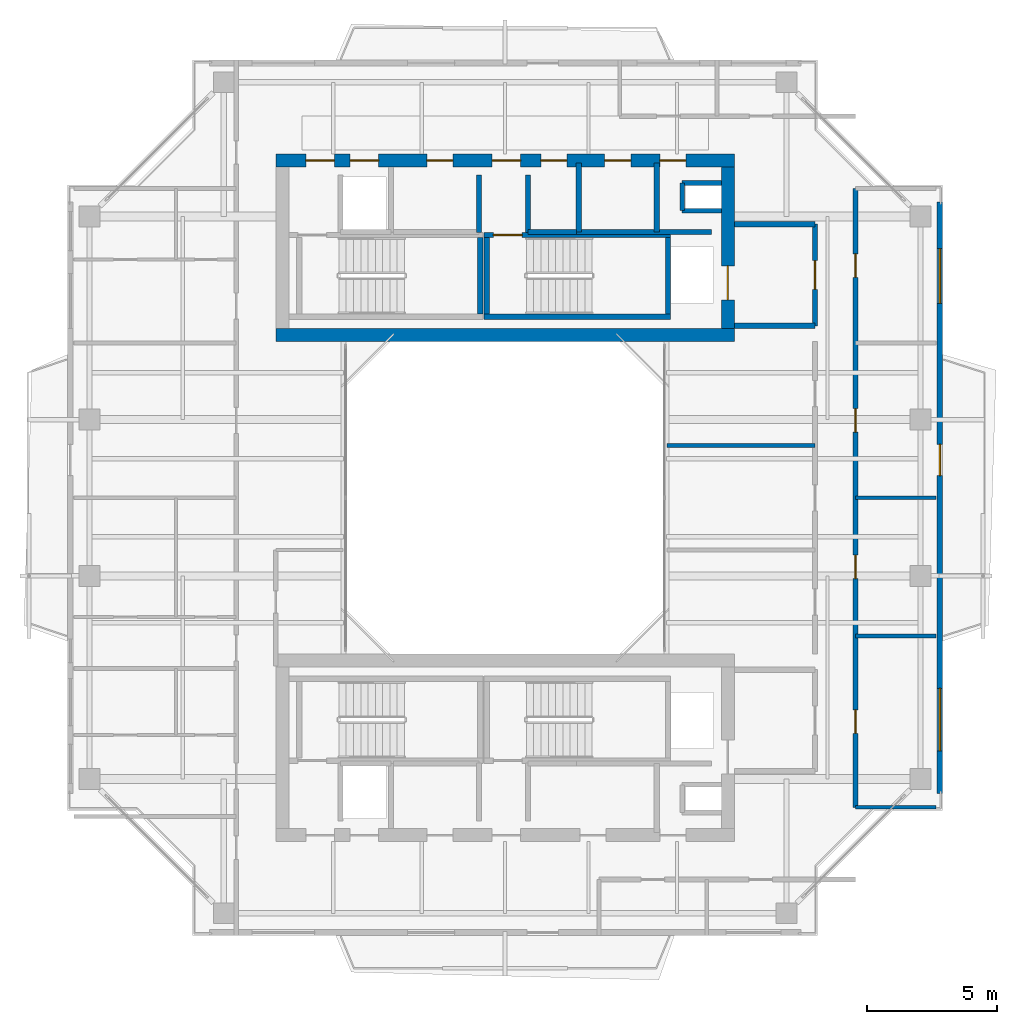
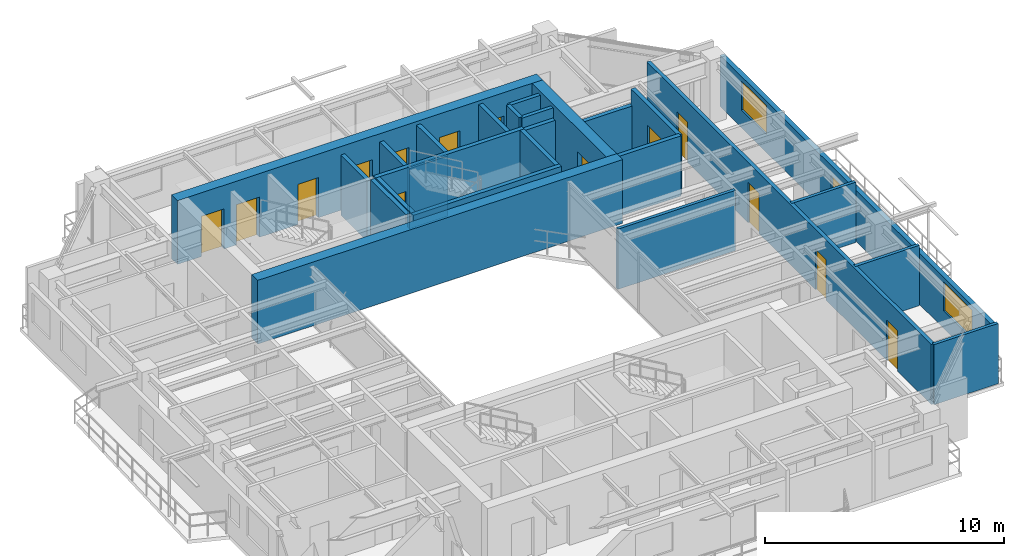
# One storey, part 12 of 16: 26 walls, 15 doors, 2 windows, 17 openings.
"""IFC4 building model written with IfcOpenShell, lengths in metres."""

from ifc_helpers import new_model, si_unit, direction, frame, frame_2d, origin, place, context, subcontext, project, spatial, rectangle, extrude, source, transform, mapped, material, layer, layer_set, type_object, element, fill, save


model = new_model("IFC4")

# Units and contexts
model_context = context("Model", 3, precision=1e-05, world=origin(), true_north=direction((0.0, 1.0)))
body_context = subcontext(model_context, "Body", "Model", "MODEL_VIEW")
ifc_project = project(units=[si_unit("LENGTHUNIT", "METRE"), si_unit("AREAUNIT", "SQUARE_METRE"), si_unit("VOLUMEUNIT", "CUBIC_METRE"), si_unit("PLANEANGLEUNIT", "RADIAN"), si_unit("MASSUNIT", "GRAM", prefix="KILO"), si_unit("THERMODYNAMICTEMPERATUREUNIT", "KELVIN"), si_unit("POWERUNIT", "WATT")], contexts=[model_context])

# Site, building, storey
site_placement = place(None, origin())
site = spatial("IfcSite", under=ifc_project, at=site_placement, CompositionType="ELEMENT")
building_placement = place(site_placement, origin())
building = spatial("IfcBuilding", under=site, at=building_placement, Name="Qiaomeng Ring Towers", CompositionType="ELEMENT")
storey_placement = place(building_placement, frame((0.0, 0.0, 216.5)))
storey = spatial("IfcBuildingStorey", under=building, at=storey_placement, Name="L63", CompositionType="ELEMENT", Elevation=216.5)

# Wall, openings, windows, door
ifc_material_1 = material(Name="Precast concrete C40", Category="concrete")
ifc_layer_1 = layer(ifc_material_1, 0.219970703125, Name="Precast concrete C40")
ifc_layer_set_1 = layer_set([ifc_layer_1], Name="Precast concrete C40")
wall_type_1 = type_object("IfcWallType", Name="ARC-WL-EW2", PredefinedType="STANDARD", material=ifc_layer_set_1)
wall_1_placement = place(storey_placement, frame((35.68994140625, 11.64990234375, 0.0), z_axis=(0.0, 0.0, 1.0), x_axis=(0.0, 1.0, 0.0)))
wall_1 = element("IfcWall", 1, at=wall_1_placement, inside=storey, type_object=wall_type_1, Name="L63 Tower 1 E Exterior Wall", PredefinedType="STANDARD", context=body_context, shape_type="SweptSolid", body=[
    extrude(rectangle(XDim=22.7001953125, YDim=0.219970703125, at=frame_2d((11.35009765625, 0.0))), origin(), (0.0, 0.0, 1.0), 2.610107421875),
])
opening_1_placement = place(wall_1_placement, frame((12.199951171875, 0.0, 0.0)))
opening_1 = element("IfcOpeningElement", 2, at=opening_1_placement, cuts=wall_1, Name="Opening BD1", PredefinedType="OPENING", context=body_context, shape_type="SweptSolid", body=[
    extrude(rectangle(XDim=1.199951171875, YDim=2.10009765625, at=frame_2d((0.60009765625, 1.050048828125))), frame((0.0, 0.119873046875, 0.0), z_axis=(0.0, -1.0, 0.0), x_axis=(1.0, 0.0, 0.0)), (0.0, 0.0, 1.0), 0.239990234375),
])
opening_2_placement = place(wall_1_placement, frame((1.637939453125, 0.0, 0.89990234375)))
opening_2 = element("IfcOpeningElement", 3, at=opening_2_placement, cuts=wall_1, Name="Opening WN6", PredefinedType="OPENING", context=body_context, shape_type="SweptSolid", body=[
    extrude(rectangle(XDim=2.39990234375, YDim=1.47998046875, at=frame_2d((1.199951171875, 0.739990234375))), frame((0.0, 0.119873046875, 0.0), z_axis=(0.0, -1.0, 0.0), x_axis=(1.0, 0.0, 0.0)), (0.0, 0.0, 1.0), 0.239990234375),
])
opening_3_placement = place(wall_1_placement, frame((18.81298828125, 0.0, 0.89990234375)))
opening_3 = element("IfcOpeningElement", 4, at=opening_3_placement, cuts=wall_1, Name="Opening WN4", PredefinedType="OPENING", context=body_context, shape_type="SweptSolid", body=[
    extrude(rectangle(XDim=2.10009765625, YDim=1.47998046875, at=frame_2d((1.050048828125, 0.739990234375))), frame((0.0, 0.119873046875, 0.0), z_axis=(0.0, -1.0, 0.0), x_axis=(1.0, 0.0, 0.0)), (0.0, 0.0, 1.0), 0.239990234375),
])
ifc_material_2 = material(Name="Low-E dark-grey laminated double glazing", Category="glass")
window_type_1 = type_object("IfcWindowType", Name="ARC-WN-4", PartitioningType="TRIPLE_PANEL_VERTICAL", PredefinedType="WINDOW", material=ifc_material_2)
shared_shape_1 = source(origin(), body_context, "Body", "SweptSolid", [
    extrude(rectangle(XDim=2.10009765625, YDim=1.47998046875, at=frame_2d((1.050048828125, 0.739990234375))), frame((0.0, 0.030029296875, 0.0), z_axis=(0.0, -1.0, 0.0), x_axis=(1.0, 0.0, 0.0)), (0.0, 0.0, 1.0), 0.06005859375),
])
window_1_placement = place(opening_3_placement, origin())
window_1 = element("IfcWindow", 5, at=window_1_placement, inside=storey, type_object=window_type_1, Name="L63 Exterior Window WN4", OverallHeight=1.47998046875, OverallWidth=2.10009765625, PartitioningType="TRIPLE_PANEL_VERTICAL", PredefinedType="WINDOW", context=body_context, shape_type="MappedRepresentation", body=[
    mapped(shared_shape_1, transform((0.0, 0.0, 0.0), x_axis=(1.0, 0.0, 0.0), y_axis=(0.0, 1.0, 0.0), z_axis=(0.0, 0.0, 1.0), scale=1.0)),
])
fill(opening_3, window_1)
window_type_2 = type_object("IfcWindowType", Name="ARC-WN-6", PartitioningType="TRIPLE_PANEL_VERTICAL", PredefinedType="WINDOW", material=ifc_material_2)
shared_shape_2 = source(origin(), body_context, "Body", "SweptSolid", [
    extrude(rectangle(XDim=2.39990234375, YDim=1.47998046875, at=frame_2d((1.199951171875, 0.739990234375))), frame((0.0, 0.030029296875, 0.0), z_axis=(0.0, -1.0, 0.0), x_axis=(1.0, 0.0, 0.0)), (0.0, 0.0, 1.0), 0.06005859375),
])
window_2_placement = place(opening_2_placement, origin())
window_2 = element("IfcWindow", 6, at=window_2_placement, inside=storey, type_object=window_type_2, Name="L63 Exterior Window WN6", OverallHeight=1.47998046875, OverallWidth=2.39990234375, PartitioningType="TRIPLE_PANEL_VERTICAL", PredefinedType="WINDOW", context=body_context, shape_type="MappedRepresentation", body=[
    mapped(shared_shape_2, transform((0.0, 0.0, 0.0), x_axis=(1.0, 0.0, 0.0), y_axis=(0.0, 1.0, 0.0), z_axis=(0.0, 0.0, 1.0), scale=1.0)),
])
fill(opening_2, window_2)
door_type_1 = type_object("IfcDoorType", Name="ARC-DR-BD1", OperationType="NOTDEFINED", PredefinedType="DOOR", material=ifc_material_2)
shared_shape_3 = source(origin(), body_context, "Body", "SweptSolid", [
    extrude(rectangle(XDim=1.199951171875, YDim=2.10009765625, at=frame_2d((0.60009765625, 1.050048828125))), frame((0.0, 0.02490234375, 0.0), z_axis=(0.0, -1.0, 0.0), x_axis=(1.0, 0.0, 0.0)), (0.0, 0.0, 1.0), 0.050048828125),
])
door_1_placement = place(opening_1_placement, origin())
door_1 = element("IfcDoor", 7, at=door_1_placement, inside=storey, type_object=door_type_1, Name="L63 E Balcony Glazed Door", OperationType="SINGLE_SWING_LEFT", OverallHeight=2.10009765625, OverallWidth=1.199951171875, PredefinedType="DOOR", context=body_context, shape_type="MappedRepresentation", body=[
    mapped(shared_shape_3, transform((0.0, 0.0, 0.0), x_axis=(1.0, 0.0, 0.0), y_axis=(0.0, 1.0, 0.0), z_axis=(0.0, 0.0, 1.0), scale=1.0)),
])
fill(opening_1, door_1)

# Walls
ifc_material_3 = material(Name="Autoclaved aerated concrete block", Category="concrete")
ifc_layer_2 = layer(ifc_material_3, 0.199951171875, Name="Autoclaved aerated concrete block")
ifc_layer_set_2 = layer_set([ifc_layer_2], Name="Autoclaved aerated concrete block")
wall_type_2 = type_object("IfcWallType", Name="ARC-WL-PW1", PredefinedType="PARTITIONING", material=ifc_layer_set_2)
wall_2_placement = place(storey_placement, frame((27.800048828125, 29.60009765625, 0.0), z_axis=(0.0, 0.0, 1.0), x_axis=(1.0, 0.0, 0.0)))
element("IfcWall", 8, at=wall_2_placement, inside=storey, type_object=wall_type_2, Name="L63 Interior Wall PW1", PredefinedType="PARTITIONING", context=body_context, shape_type="SweptSolid", body=[
    extrude(rectangle(XDim=3.099853515625, YDim=0.199951171875, at=frame_2d((1.5498046875, 0.0))), origin(), (0.0, 0.0, 1.0), 3.070068359375),
])
wall_3_placement = place(storey_placement, frame((27.800048828125, 33.5, 0.0), z_axis=(0.0, 0.0, 1.0), x_axis=(1.0, 0.0, 0.0)))
element("IfcWall", 9, at=wall_3_placement, inside=storey, type_object=wall_type_2, Name="L63 Interior Wall PW1", PredefinedType="PARTITIONING", context=body_context, shape_type="SweptSolid", body=[
    extrude(rectangle(XDim=3.099853515625, YDim=0.199951171875, at=frame_2d((1.5498046875, 0.0))), origin(), (0.0, 0.0, 1.0), 2.264892578125),
])

# Wall, opening, door
wall_4_placement = place(storey_placement, frame((30.89990234375, 29.60009765625, 0.0), z_axis=(0.0, 0.0, 1.0), x_axis=(0.0, 1.0, 0.0)))
wall_4 = element("IfcWall", 10, at=wall_4_placement, inside=storey, type_object=wall_type_2, Name="L63 Interior Wall PW1", PredefinedType="PARTITIONING", context=body_context, shape_type="SweptSolid", body=[
    extrude(rectangle(XDim=3.89990234375, YDim=0.199951171875, at=frame_2d((1.949951171875, 0.0))), origin(), (0.0, 0.0, 1.0), 3.070068359375),
])
opening_4_placement = place(wall_4_placement, frame((1.39990234375, 0.0, 0.0)))
opening_4 = element("IfcOpeningElement", 11, at=opening_4_placement, cuts=wall_4, Name="Opening FD3", PredefinedType="OPENING", context=body_context, shape_type="SweptSolid", body=[
    extrude(rectangle(XDim=1.10009765625, YDim=2.050048828125, at=frame_2d((0.550048828125, 1.02490234375))), frame((0.0, 0.10986328125, 0.0), z_axis=(0.0, -1.0, 0.0), x_axis=(1.0, 0.0, 0.0)), (0.0, 0.0, 1.0), 0.219970703125),
])
ifc_material_4 = material(Name="Galvanised steel", Category="steel")
door_type_2 = type_object("IfcDoorType", Name="ARC-DR-FD3", OperationType="NOTDEFINED", PredefinedType="DOOR", material=ifc_material_4)
shared_shape_4 = source(origin(), body_context, "Body", "SweptSolid", [
    extrude(rectangle(XDim=1.10009765625, YDim=2.050048828125, at=frame_2d((0.550048828125, 1.02490234375))), frame((0.0, 0.02490234375, 0.0), z_axis=(0.0, -1.0, 0.0), x_axis=(1.0, 0.0, 0.0)), (0.0, 0.0, 1.0), 0.050048828125),
])
door_2_placement = place(opening_4_placement, origin())
door_2 = element("IfcDoor", 12, at=door_2_placement, inside=storey, type_object=door_type_2, Name="L63 North FF Lobby Door", OperationType="SINGLE_SWING_LEFT", OverallHeight=2.050048828125, OverallWidth=1.10009765625, PredefinedType="DOOR", context=body_context, shape_type="MappedRepresentation", body=[
    mapped(shared_shape_4, transform((0.0, 0.0, 0.0), x_axis=(1.0, 0.0, 0.0), y_axis=(0.0, 1.0, 0.0), z_axis=(0.0, 0.0, 1.0), scale=1.0)),
])
fill(opening_4, door_2)

# Walls
for number, where, z_axis, x_axis, name in (
    (13, (18.0, 33.18994140625, 0.0), (0.0, 0.0, 1.0), (0.0, 1.0, 0.0), "L63 Interior Wall PW1"),
    (14, (19.8798828125, 33.18994140625, 0.0), (0.0, 0.0, 1.0), (0.0, 1.0, 0.0), "L63 Interior Wall PW1"),
):
    element("IfcWall", number, at=place(storey_placement, frame(where, z_axis=z_axis, x_axis=x_axis)), inside=storey, type_object=wall_type_2, Name=name, PredefinedType="PARTITIONING", context=body_context, shape_type="SweptSolid", body=[
        extrude(rectangle(XDim=2.2099609375, YDim=0.199951171875, at=frame_2d((1.10498046875, 0.0))), origin(), (0.0, 0.0, 1.0), 3.070068359375),
    ])
wall_5_placement = place(storey_placement, frame((24.820068359375, 33.199951171875, 0.0), z_axis=(0.0, 0.0, 1.0), x_axis=(0.0, 1.0, 0.0)))
element("IfcWall", 15, at=wall_5_placement, inside=storey, type_object=wall_type_2, Name="L63 Interior Wall PW1", PredefinedType="PARTITIONING", context=body_context, shape_type="SweptSolid", body=[
    extrude(rectangle(XDim=2.650146484375, YDim=0.199951171875, at=frame_2d((1.3251953125, 0.0))), origin(), (0.0, 0.0, 1.0), 3.070068359375),
])
wall_6_placement = place(storey_placement, frame((19.8798828125, 33.199951171875, 0.0), z_axis=(0.0, 0.0, 1.0), x_axis=(1.0, 0.0, 0.0)))
element("IfcWall", 16, at=wall_6_placement, inside=storey, type_object=wall_type_2, Name="L63 Interior Wall PW1", PredefinedType="PARTITIONING", context=body_context, shape_type="SweptSolid", body=[
    extrude(rectangle(XDim=1.8701171875, YDim=0.199951171875, at=frame_2d((0.93505859375, 0.0))), origin(), (0.0, 0.0, 1.0), 3.070068359375),
])
wall_7_placement = place(storey_placement, frame((21.830078125, 33.199951171875, 0.0), z_axis=(0.0, 0.0, 1.0), x_axis=(0.0, 1.0, 0.0)))
element("IfcWall", 17, at=wall_7_placement, inside=storey, type_object=wall_type_2, Name="L63 Interior Wall PW1", PredefinedType="PARTITIONING", context=body_context, shape_type="SweptSolid", body=[
    extrude(rectangle(XDim=2.650146484375, YDim=0.199951171875, at=frame_2d((1.3251953125, 0.0))), origin(), (0.0, 0.0, 1.0), 3.070068359375),
])
wall_8_placement = place(storey_placement, frame((21.75, 33.199951171875, 0.0), z_axis=(0.0, 0.0, 1.0), x_axis=(1.0, 0.0, 0.0)))
element("IfcWall", 18, at=wall_8_placement, inside=storey, type_object=wall_type_2, Name="L63 Interior Wall PW1", PredefinedType="PARTITIONING", context=body_context, shape_type="SweptSolid", body=[
    extrude(rectangle(XDim=5.169921875, YDim=0.199951171875, at=frame_2d((2.5849609375, 0.0))), origin(), (0.0, 0.0, 1.0), 3.070068359375),
])

# Wall, openings, doors
ifc_layer_3 = layer(ifc_material_3, 0.179931640625, Name="Autoclaved aerated concrete block")
ifc_layer_set_3 = layer_set([ifc_layer_3], Name="Autoclaved aerated concrete block")
wall_type_3 = type_object("IfcWallType", Name="ARC-WL-PW2", PredefinedType="PARTITIONING", material=ifc_layer_set_3)
wall_9_placement = place(storey_placement, frame((32.449951171875, 11.1201171875, 0.0), z_axis=(0.0, 0.0, 1.0), x_axis=(0.0, 1.0, 0.0)))
wall_9 = element("IfcWall", 19, at=wall_9_placement, inside=storey, type_object=wall_type_3, Name="L63 Interior Wall PW2", PredefinedType="PARTITIONING", context=body_context, shape_type="SweptSolid", body=[
    extrude(rectangle(XDim=23.759765625, YDim=0.179931640625, at=frame_2d((11.8798828125, 0.0))), origin(), (0.0, 0.0, 1.0), 3.070068359375),
])
opening_5_placement = place(wall_9_placement, frame((2.8349609375, 0.0, 0.0)))
opening_5 = element("IfcOpeningElement", 20, at=opening_5_placement, cuts=wall_9, Name="Opening ID1", PredefinedType="OPENING", context=body_context, shape_type="SweptSolid", body=[
    extrude(rectangle(XDim=0.89990234375, YDim=2.050048828125, at=frame_2d((0.449951171875, 1.02490234375))), frame((0.0, 0.099853515625, 0.0), z_axis=(0.0, -1.0, 0.0), x_axis=(1.0, 0.0, 0.0)), (0.0, 0.0, 1.0), 0.199951171875),
])
opening_6_placement = place(wall_9_placement, frame((8.77490234375, 0.0, 0.0)))
opening_6 = element("IfcOpeningElement", 21, at=opening_6_placement, cuts=wall_9, Name="Opening ID1", PredefinedType="OPENING", context=body_context, shape_type="SweptSolid", body=[
    extrude(rectangle(XDim=0.89990234375, YDim=2.050048828125, at=frame_2d((0.449951171875, 1.02490234375))), frame((0.0, 0.099853515625, 0.0), z_axis=(0.0, -1.0, 0.0), x_axis=(1.0, 0.0, 0.0)), (0.0, 0.0, 1.0), 0.199951171875),
])
opening_7_placement = place(wall_9_placement, frame((14.39990234375, 0.0, 0.0)))
opening_7 = element("IfcOpeningElement", 22, at=opening_7_placement, cuts=wall_9, Name="Opening ID1", PredefinedType="OPENING", context=body_context, shape_type="SweptSolid", body=[
    extrude(rectangle(XDim=0.89990234375, YDim=2.050048828125, at=frame_2d((0.449951171875, 1.02490234375))), frame((0.0, 0.099853515625, 0.0), z_axis=(0.0, -1.0, 0.0), x_axis=(1.0, 0.0, 0.0)), (0.0, 0.0, 1.0), 0.199951171875),
])
opening_8_placement = place(wall_9_placement, frame((20.340087890625, 0.0, 0.0)))
opening_8 = element("IfcOpeningElement", 23, at=opening_8_placement, cuts=wall_9, Name="Opening ID1", PredefinedType="OPENING", context=body_context, shape_type="SweptSolid", body=[
    extrude(rectangle(XDim=0.89990234375, YDim=2.050048828125, at=frame_2d((0.449951171875, 1.02490234375))), frame((0.0, 0.099853515625, 0.0), z_axis=(0.0, -1.0, 0.0), x_axis=(1.0, 0.0, 0.0)), (0.0, 0.0, 1.0), 0.199951171875),
])
ifc_material_5 = material(Name="Engineered oak timber", Category="wood")
door_type_3 = type_object("IfcDoorType", Name="ARC-DR-ID1", OperationType="NOTDEFINED", PredefinedType="DOOR", material=ifc_material_5)
shared_shape_5 = source(origin(), body_context, "Body", "SweptSolid", [
    extrude(rectangle(XDim=0.89990234375, YDim=2.050048828125, at=frame_2d((0.449951171875, 1.02490234375))), frame((0.0, 0.02490234375, 0.0), z_axis=(0.0, -1.0, 0.0), x_axis=(1.0, 0.0, 0.0)), (0.0, 0.0, 1.0), 0.050048828125),
])
door_3_placement = place(opening_5_placement, origin())
door_3 = element("IfcDoor", 24, at=door_3_placement, inside=storey, type_object=door_type_3, Name="L63 Door ID1", OperationType="SINGLE_SWING_RIGHT", OverallHeight=2.050048828125, OverallWidth=0.89990234375, PredefinedType="DOOR", context=body_context, shape_type="MappedRepresentation", body=[
    mapped(shared_shape_5, transform((0.0, 0.0, 0.0), x_axis=(1.0, 0.0, 0.0), y_axis=(0.0, 1.0, 0.0), z_axis=(0.0, 0.0, 1.0), scale=1.0)),
])
fill(opening_5, door_3)
door_4_placement = place(opening_6_placement, origin())
door_4 = element("IfcDoor", 25, at=door_4_placement, inside=storey, type_object=door_type_3, Name="L63 Door ID1", OperationType="SINGLE_SWING_LEFT", OverallHeight=2.050048828125, OverallWidth=0.89990234375, PredefinedType="DOOR", context=body_context, shape_type="MappedRepresentation", body=[
    mapped(shared_shape_5, transform((0.0, 0.0, 0.0), x_axis=(1.0, 0.0, 0.0), y_axis=(0.0, 1.0, 0.0), z_axis=(0.0, 0.0, 1.0), scale=1.0)),
])
fill(opening_6, door_4)
door_5_placement = place(opening_7_placement, origin())
door_5 = element("IfcDoor", 26, at=door_5_placement, inside=storey, type_object=door_type_3, Name="L63 Door ID1", OperationType="SINGLE_SWING_RIGHT", OverallHeight=2.050048828125, OverallWidth=0.89990234375, PredefinedType="DOOR", context=body_context, shape_type="MappedRepresentation", body=[
    mapped(shared_shape_5, transform((0.0, 0.0, 0.0), x_axis=(1.0, 0.0, 0.0), y_axis=(0.0, 1.0, 0.0), z_axis=(0.0, 0.0, 1.0), scale=1.0)),
])
fill(opening_7, door_5)
door_6_placement = place(opening_8_placement, origin())
door_6 = element("IfcDoor", 27, at=door_6_placement, inside=storey, type_object=door_type_3, Name="L63 Door ID1", OperationType="SINGLE_SWING_LEFT", OverallHeight=2.050048828125, OverallWidth=0.89990234375, PredefinedType="DOOR", context=body_context, shape_type="MappedRepresentation", body=[
    mapped(shared_shape_5, transform((0.0, 0.0, 0.0), x_axis=(1.0, 0.0, 0.0), y_axis=(0.0, 1.0, 0.0), z_axis=(0.0, 0.0, 1.0), scale=1.0)),
])
fill(opening_8, door_6)

# Walls
ifc_material_6 = material(Name="Gypsum fireboard steel-stud partition", Category="steel")
ifc_layer_4 = layer(ifc_material_6, 0.14990234375, Name="Gypsum fireboard steel-stud partition")
ifc_layer_set_4 = layer_set([ifc_layer_4], Name="Gypsum fireboard steel-stud partition")
wall_type_4 = type_object("IfcWallType", Name="ARC-WL-PW3", PredefinedType="PARTITIONING", material=ifc_layer_set_4)
wall_10_placement = place(storey_placement, frame((25.219970703125, 25.0, 0.0), z_axis=(0.0, 0.0, 1.0), x_axis=(1.0, 0.0, 0.0)))
element("IfcWall", 28, at=wall_10_placement, inside=storey, type_object=wall_type_4, Name="L63 Interior Wall PW3", PredefinedType="PARTITIONING", context=body_context, shape_type="SweptSolid", body=[
    extrude(rectangle(XDim=5.679931640625, YDim=0.14990234375, at=frame_2d((2.83984375, 0.0))), origin(), (0.0, 0.0, 1.0), 3.070068359375),
])
for number, where, z_axis, x_axis, name in (
    (29, (32.449951171875, 11.1201171875, 0.0), (0.0, 0.0, 1.0), (1.0, 0.0, 0.0), "L63 Interior Wall PW3"),
    (30, (32.449951171875, 17.68994140625, 0.0), (0.0, 0.0, 1.0), (1.0, 0.0, 0.0), "L63 Interior Wall PW3"),
    (31, (32.449951171875, 23.0, 0.0), (0.0, 0.0, 1.0), (1.0, 0.0, 0.0), "L63 Interior Wall PW3"),
):
    element("IfcWall", number, at=place(storey_placement, frame(where, z_axis=z_axis, x_axis=x_axis)), inside=storey, type_object=wall_type_4, Name=name, PredefinedType="PARTITIONING", context=body_context, shape_type="SweptSolid", body=[
        extrude(rectangle(XDim=3.10009765625, YDim=0.14990234375, at=frame_2d((1.550048828125, 0.0))), origin(), (0.0, 0.0, 1.0), 3.070068359375),
    ])
ifc_material_7 = material(Name="Concrete C40", Category="concrete")
ifc_layer_5 = layer(ifc_material_7, 0.199951171875, Name="Concrete C40")
ifc_layer_set_5 = layer_set([ifc_layer_5], Name="Concrete C40")
wall_type_5 = type_object("IfcWallType", Name="STR-WL-STSHAFT", PredefinedType="SHEAR", material=ifc_layer_set_5)
wall_11_placement = place(storey_placement, frame((25.800048828125, 34.02001953125, 0.0), z_axis=(0.0, 0.0, 1.0), x_axis=(0.0, 1.0, 0.0)))
element("IfcWall", 32, at=wall_11_placement, inside=storey, type_object=wall_type_5, Name="L63 Riser RSR1 West Shaft Wall N", PredefinedType="SHEAR", context=body_context, shape_type="SweptSolid", body=[
    extrude(rectangle(XDim=1.06005859375, YDim=0.179931640625, at=frame_2d((0.530029296875, 0.0))), origin(), (0.0, 0.0, 1.0), 3.070068359375),
])
for number, where, z_axis, x_axis, name in (
    (33, (25.800048828125, 35.080078125, 0.0), (0.0, 0.0, 1.0), (1.0, 0.0, 0.0), "L63 Riser RSR1 North Shaft Wall N"),
    (34, (25.800048828125, 34.02001953125, 0.0), (0.0, 0.0, 1.0), (1.0, 0.0, 0.0), "L63 Riser RSR1 South Shaft Wall N"),
):
    element("IfcWall", number, at=place(storey_placement, frame(where, z_axis=z_axis, x_axis=x_axis)), inside=storey, type_object=wall_type_5, Name=name, PredefinedType="SHEAR", context=body_context, shape_type="SweptSolid", body=[
        extrude(rectangle(XDim=1.5, YDim=0.179931640625, at=frame_2d((0.75, 0.0))), origin(), (0.0, 0.0, 1.0), 3.070068359375),
    ])
wall_12_placement = place(storey_placement, frame((18.050048828125, 30.050048828125, 0.0), z_axis=(0.0, 0.0, 1.0), x_axis=(0.0, 1.0, 0.0)))
element("IfcWall", 35, at=wall_12_placement, inside=storey, type_object=wall_type_5, Name="L63 Stair ST1 East Shaft Shear Wall", PredefinedType="SHEAR", context=body_context, shape_type="SweptSolid", body=[
    extrude(rectangle(XDim=2.93994140625, YDim=0.199951171875, at=frame_2d((1.469970703125, 0.0))), origin(), (0.0, 0.0, 1.0), 3.25),
])
wall_13_placement = place(storey_placement, frame((18.199951171875, 29.949951171875, 0.0), z_axis=(0.0, 0.0, 1.0), x_axis=(1.0, 0.0, 0.0)))
element("IfcWall", 36, at=wall_13_placement, inside=storey, type_object=wall_type_5, Name="L63 Stair ST2 South Shaft Shear Wall", PredefinedType="SHEAR", context=body_context, shape_type="SweptSolid", body=[
    extrude(rectangle(XDim=7.150146484375, YDim=0.199951171875, at=frame_2d((3.5751953125, 0.0))), origin(), (0.0, 0.0, 1.0), 3.25),
])

# Wall, opening, door
wall_14_placement = place(storey_placement, frame((18.199951171875, 33.090087890625, 0.0), z_axis=(0.0, 0.0, 1.0), x_axis=(1.0, 0.0, 0.0)))
wall_14 = element("IfcWall", 37, at=wall_14_placement, inside=storey, type_object=wall_type_5, Name="L63 Stair ST2 North Shaft Shear Wall", PredefinedType="SHEAR", context=body_context, shape_type="SweptSolid", body=[
    extrude(rectangle(XDim=7.150146484375, YDim=0.199951171875, at=frame_2d((3.5751953125, 0.0))), origin(), (0.0, 0.0, 1.0), 3.25),
])
opening_9_placement = place(wall_14_placement, frame((0.35009765625, 0.0, 0.0)))
opening_9 = element("IfcOpeningElement", 38, at=opening_9_placement, cuts=wall_14, Name="Opening FD3", PredefinedType="OPENING", context=body_context, shape_type="SweptSolid", body=[
    extrude(rectangle(XDim=1.10009765625, YDim=2.050048828125, at=frame_2d((0.550048828125, 1.02490234375))), frame((0.0, 0.10986328125, 0.0), z_axis=(0.0, -1.0, 0.0), x_axis=(1.0, 0.0, 0.0)), (0.0, 0.0, 1.0), 0.219970703125),
])
door_7_placement = place(opening_9_placement, origin())
door_7 = element("IfcDoor", 39, at=door_7_placement, inside=storey, type_object=door_type_2, Name="L63 Stair ST2 Exit Door", OperationType="SINGLE_SWING_RIGHT", OverallHeight=2.050048828125, OverallWidth=1.10009765625, PredefinedType="DOOR", context=body_context, shape_type="MappedRepresentation", body=[
    mapped(shared_shape_4, transform((0.0, 0.0, 0.0), x_axis=(1.0, 0.0, 0.0), y_axis=(0.0, 1.0, 0.0), z_axis=(0.0, 0.0, 1.0), scale=1.0)),
])
fill(opening_9, door_7)

# Walls
for number, where, z_axis, x_axis, name in (
    (40, (18.300048828125, 30.050048828125, 0.0), (0.0, 0.0, 1.0), (0.0, 1.0, 0.0), "L63 Stair ST2 West Shaft Shear Wall"),
    (41, (25.25, 30.050048828125, 0.0), (0.0, 0.0, 1.0), (0.0, 1.0, 0.0), "L63 Stair ST2 East Shaft Shear Wall"),
):
    element("IfcWall", number, at=place(storey_placement, frame(where, z_axis=z_axis, x_axis=x_axis)), inside=storey, type_object=wall_type_5, Name=name, PredefinedType="SHEAR", context=body_context, shape_type="SweptSolid", body=[
        extrude(rectangle(XDim=2.93994140625, YDim=0.199951171875, at=frame_2d((1.469970703125, 0.0))), origin(), (0.0, 0.0, 1.0), 3.25),
    ])
ifc_layer_6 = layer(ifc_material_7, 0.5, Name="Concrete C40")
ifc_layer_set_6 = layer_set([ifc_layer_6], Name="Concrete C40")
wall_type_6 = type_object("IfcWallType", Name="STR-WL-SW3", PredefinedType="SHEAR", material=ifc_layer_set_6)
wall_15_placement = place(storey_placement, frame((10.199951171875, 29.25, 0.0), z_axis=(0.0, 0.0, 1.0), x_axis=(1.0, 0.0, 0.0)))
element("IfcWall", 42, at=wall_15_placement, inside=storey, type_object=wall_type_6, Name="L63 T1NC south core shear wall", PredefinedType="SHEAR", context=body_context, shape_type="SweptSolid", body=[
    extrude(rectangle(XDim=17.60009765625, YDim=0.5, at=frame_2d((8.800048828125, 0.0))), origin(), (0.0, 0.0, 1.0), 3.25),
])

# Wall, openings, doors
wall_16_placement = place(storey_placement, frame((10.199951171875, 35.949951171875, 0.0), z_axis=(0.0, 0.0, 1.0), x_axis=(1.0, 0.0, 0.0)))
wall_16 = element("IfcWall", 43, at=wall_16_placement, inside=storey, type_object=wall_type_6, Name="L63 T1NC north core shear wall", PredefinedType="SHEAR", context=body_context, shape_type="SweptSolid", body=[
    extrude(rectangle(XDim=17.60009765625, YDim=0.5, at=frame_2d((8.800048828125, 0.0))), origin(), (0.0, 0.0, 1.0), 3.25),
])
opening_10_placement = place(wall_16_placement, frame((1.14990234375, 0.0, 0.0)))
opening_10 = element("IfcOpeningElement", 44, at=opening_10_placement, cuts=wall_16, Name="Opening FD3", PredefinedType="OPENING", context=body_context, shape_type="SweptSolid", body=[
    extrude(rectangle(XDim=1.10009765625, YDim=2.050048828125, at=frame_2d((0.550048828125, 1.02490234375))), frame((0.0, 0.260009765625, 0.0), z_axis=(0.0, -1.0, 0.0), x_axis=(1.0, 0.0, 0.0)), (0.0, 0.0, 1.0), 0.52001953125),
])
opening_11_placement = place(wall_16_placement, frame((8.300048828125, 0.0, 0.0)))
opening_11 = element("IfcOpeningElement", 45, at=opening_11_placement, cuts=wall_16, Name="Opening FD3", PredefinedType="OPENING", context=body_context, shape_type="SweptSolid", body=[
    extrude(rectangle(XDim=1.10009765625, YDim=2.050048828125, at=frame_2d((0.550048828125, 1.02490234375))), frame((0.0, 0.260009765625, 0.0), z_axis=(0.0, -1.0, 0.0), x_axis=(1.0, 0.0, 0.0)), (0.0, 0.0, 1.0), 0.52001953125),
])
opening_12_placement = place(wall_16_placement, frame((2.85009765625, 0.0, 0.0)))
opening_12 = element("IfcOpeningElement", 46, at=opening_12_placement, cuts=wall_16, Name="Opening LD1", PredefinedType="OPENING", context=body_context, shape_type="SweptSolid", body=[
    extrude(rectangle(XDim=1.10009765625, YDim=2.050048828125, at=frame_2d((0.550048828125, 1.02490234375))), frame((0.0, 0.260009765625, 0.0), z_axis=(0.0, -1.0, 0.0), x_axis=(1.0, 0.0, 0.0)), (0.0, 0.0, 1.0), 0.52001953125),
])
opening_13_placement = place(wall_16_placement, frame((5.800048828125, 0.0, 0.0)))
opening_13 = element("IfcOpeningElement", 47, at=opening_13_placement, cuts=wall_16, Name="Opening FD1", PredefinedType="OPENING", context=body_context, shape_type="SweptSolid", body=[
    extrude(rectangle(XDim=1.0, YDim=2.050048828125, at=frame_2d((0.5, 1.02490234375))), frame((0.0, 0.260009765625, 0.0), z_axis=(0.0, -1.0, 0.0), x_axis=(1.0, 0.0, 0.0)), (0.0, 0.0, 1.0), 0.52001953125),
])
opening_14_placement = place(wall_16_placement, frame((14.739990234375, 0.0, 0.0)))
opening_14 = element("IfcOpeningElement", 48, at=opening_14_placement, cuts=wall_16, Name="Opening FD1", PredefinedType="OPENING", context=body_context, shape_type="SweptSolid", body=[
    extrude(rectangle(XDim=1.0, YDim=2.050048828125, at=frame_2d((0.5, 1.02490234375))), frame((0.0, 0.260009765625, 0.0), z_axis=(0.0, -1.0, 0.0), x_axis=(1.0, 0.0, 0.0)), (0.0, 0.0, 1.0), 0.52001953125),
])
opening_15_placement = place(wall_16_placement, frame((10.175048828125, 0.0, 0.0)))
opening_15 = element("IfcOpeningElement", 49, at=opening_15_placement, cuts=wall_16, Name="Opening FD1", PredefinedType="OPENING", context=body_context, shape_type="SweptSolid", body=[
    extrude(rectangle(XDim=1.0, YDim=2.050048828125, at=frame_2d((0.5, 1.02490234375))), frame((0.0, 0.260009765625, 0.0), z_axis=(0.0, -1.0, 0.0), x_axis=(1.0, 0.0, 0.0)), (0.0, 0.0, 1.0), 0.52001953125),
])
opening_16_placement = place(wall_16_placement, frame((12.625, 0.0, 0.0)))
opening_16 = element("IfcOpeningElement", 50, at=opening_16_placement, cuts=wall_16, Name="Opening FD1", PredefinedType="OPENING", context=body_context, shape_type="SweptSolid", body=[
    extrude(rectangle(XDim=1.0, YDim=2.050048828125, at=frame_2d((0.5, 1.02490234375))), frame((0.0, 0.260009765625, 0.0), z_axis=(0.0, -1.0, 0.0), x_axis=(1.0, 0.0, 0.0)), (0.0, 0.0, 1.0), 0.52001953125),
])
door_8_placement = place(opening_10_placement, origin())
door_8 = element("IfcDoor", 51, at=door_8_placement, inside=storey, type_object=door_type_2, Name="L63 Stair ST1 Lobby Door", OperationType="SINGLE_SWING_LEFT", OverallHeight=2.050048828125, OverallWidth=1.10009765625, PredefinedType="DOOR", context=body_context, shape_type="MappedRepresentation", body=[
    mapped(shared_shape_4, transform((0.0, 0.0, 0.0), x_axis=(1.0, 0.0, 0.0), y_axis=(0.0, 1.0, 0.0), z_axis=(0.0, 0.0, 1.0), scale=1.0)),
])
fill(opening_10, door_8)
door_9_placement = place(opening_11_placement, origin())
door_9 = element("IfcDoor", 52, at=door_9_placement, inside=storey, type_object=door_type_2, Name="L63 Stair ST2 Lobby Door", OperationType="SINGLE_SWING_LEFT", OverallHeight=2.050048828125, OverallWidth=1.10009765625, PredefinedType="DOOR", context=body_context, shape_type="MappedRepresentation", body=[
    mapped(shared_shape_4, transform((0.0, 0.0, 0.0), x_axis=(1.0, 0.0, 0.0), y_axis=(0.0, 1.0, 0.0), z_axis=(0.0, 0.0, 1.0), scale=1.0)),
])
fill(opening_11, door_9)
ifc_material_8 = material(Name="Stainless steel 316", Category="steel")
door_type_4 = type_object("IfcDoorType", Name="ARC-DR-LD1", OperationType="NOTDEFINED", PredefinedType="DOOR", material=ifc_material_8)
door_10_placement = place(opening_12_placement, origin())
door_10 = element("IfcDoor", 53, at=door_10_placement, inside=storey, type_object=door_type_4, Name="L63 High-Zone Lift LP5 Landing Door", OperationType="SLIDING_TO_LEFT", OverallHeight=2.050048828125, OverallWidth=1.10009765625, PredefinedType="DOOR", context=body_context, shape_type="MappedRepresentation", body=[
    mapped(shared_shape_4, transform((0.0, 0.0, 0.0), x_axis=(1.0, 0.0, 0.0), y_axis=(0.0, 1.0, 0.0), z_axis=(0.0, 0.0, 1.0), scale=1.0)),
])
fill(opening_12, door_10)
door_type_5 = type_object("IfcDoorType", Name="ARC-DR-FD1", OperationType="NOTDEFINED", PredefinedType="DOOR", material=ifc_material_4)
shared_shape_6 = source(origin(), body_context, "Body", "SweptSolid", [
    extrude(rectangle(XDim=1.0, YDim=2.050048828125, at=frame_2d((0.5, 1.02490234375))), frame((0.0, 0.02490234375, 0.0), z_axis=(0.0, -1.0, 0.0), x_axis=(1.0, 0.0, 0.0)), (0.0, 0.0, 1.0), 0.050048828125),
])
door_11_placement = place(opening_13_placement, origin())
door_11 = element("IfcDoor", 54, at=door_11_placement, inside=storey, type_object=door_type_5, Name="L63 High-Zone Facilities Office Door", OperationType="SINGLE_SWING_LEFT", OverallHeight=2.050048828125, OverallWidth=1.0, PredefinedType="DOOR", context=body_context, shape_type="MappedRepresentation", body=[
    mapped(shared_shape_6, transform((0.0, 0.0, 0.0), x_axis=(1.0, 0.0, 0.0), y_axis=(0.0, 1.0, 0.0), z_axis=(0.0, 0.0, 1.0), scale=1.0)),
])
fill(opening_13, door_11)
door_12_placement = place(opening_14_placement, origin())
door_12 = element("IfcDoor", 55, at=door_12_placement, inside=storey, type_object=door_type_5, Name="L63 North Electrical Riser Door", OperationType="SINGLE_SWING_LEFT", OverallHeight=2.050048828125, OverallWidth=1.0, PredefinedType="DOOR", context=body_context, shape_type="MappedRepresentation", body=[
    mapped(shared_shape_6, transform((0.0, 0.0, 0.0), x_axis=(1.0, 0.0, 0.0), y_axis=(0.0, 1.0, 0.0), z_axis=(0.0, 0.0, 1.0), scale=1.0)),
])
fill(opening_14, door_12)
door_13_placement = place(opening_15_placement, origin())
door_13 = element("IfcDoor", 56, at=door_13_placement, inside=storey, type_object=door_type_5, Name="L63 North Cleaners Store Door", OperationType="SINGLE_SWING_LEFT", OverallHeight=2.050048828125, OverallWidth=1.0, PredefinedType="DOOR", context=body_context, shape_type="MappedRepresentation", body=[
    mapped(shared_shape_6, transform((0.0, 0.0, 0.0), x_axis=(1.0, 0.0, 0.0), y_axis=(0.0, 1.0, 0.0), z_axis=(0.0, 0.0, 1.0), scale=1.0)),
])
fill(opening_15, door_13)
door_14_placement = place(opening_16_placement, origin())
door_14 = element("IfcDoor", 57, at=door_14_placement, inside=storey, type_object=door_type_5, Name="L63 North Telemetry Office Door", OperationType="SINGLE_SWING_RIGHT", OverallHeight=2.050048828125, OverallWidth=1.0, PredefinedType="DOOR", context=body_context, shape_type="MappedRepresentation", body=[
    mapped(shared_shape_6, transform((0.0, 0.0, 0.0), x_axis=(1.0, 0.0, 0.0), y_axis=(0.0, 1.0, 0.0), z_axis=(0.0, 0.0, 1.0), scale=1.0)),
])
fill(opening_16, door_14)

# Wall, opening, door
wall_17_placement = place(storey_placement, frame((27.550048828125, 29.5, 0.0), z_axis=(0.0, 0.0, 1.0), x_axis=(0.0, 1.0, 0.0)))
wall_17 = element("IfcWall", 58, at=wall_17_placement, inside=storey, type_object=wall_type_6, Name="L63 T1NC east core shear wall", PredefinedType="SHEAR", context=body_context, shape_type="SweptSolid", body=[
    extrude(rectangle(XDim=6.199951171875, YDim=0.5, at=frame_2d((3.10009765625, 0.0))), origin(), (0.0, 0.0, 1.0), 3.25),
])
opening_17_placement = place(wall_17_placement, frame((1.10009765625, 0.0, 0.0)))
opening_17 = element("IfcOpeningElement", 59, at=opening_17_placement, cuts=wall_17, Name="Opening LD2", PredefinedType="OPENING", context=body_context, shape_type="SweptSolid", body=[
    extrude(rectangle(XDim=1.300048828125, YDim=2.050048828125, at=frame_2d((0.64990234375, 1.02490234375))), frame((0.0, 0.260009765625, 0.0), z_axis=(0.0, -1.0, 0.0), x_axis=(1.0, 0.0, 0.0)), (0.0, 0.0, 1.0), 0.52001953125),
])
door_type_6 = type_object("IfcDoorType", Name="ARC-DR-LD2", OperationType="NOTDEFINED", PredefinedType="DOOR", material=ifc_material_8)
shared_shape_7 = source(origin(), body_context, "Body", "SweptSolid", [
    extrude(rectangle(XDim=1.300048828125, YDim=2.050048828125, at=frame_2d((0.64990234375, 1.02490234375))), frame((0.0, 0.02490234375, 0.0), z_axis=(0.0, -1.0, 0.0), x_axis=(1.0, 0.0, 0.0)), (0.0, 0.0, 1.0), 0.050048828125),
])
door_15_placement = place(opening_17_placement, origin())
door_15 = element("IfcDoor", 60, at=door_15_placement, inside=storey, type_object=door_type_6, Name="L63 Firefighting Lift FL1 Landing Door", OperationType="SLIDING_TO_LEFT", OverallHeight=2.050048828125, OverallWidth=1.300048828125, PredefinedType="DOOR", context=body_context, shape_type="MappedRepresentation", body=[
    mapped(shared_shape_7, transform((0.0, 0.0, 0.0), x_axis=(1.0, 0.0, 0.0), y_axis=(0.0, 1.0, 0.0), z_axis=(0.0, 0.0, 1.0), scale=1.0)),
])
fill(opening_17, door_15)

save(model, "model.ifc")
